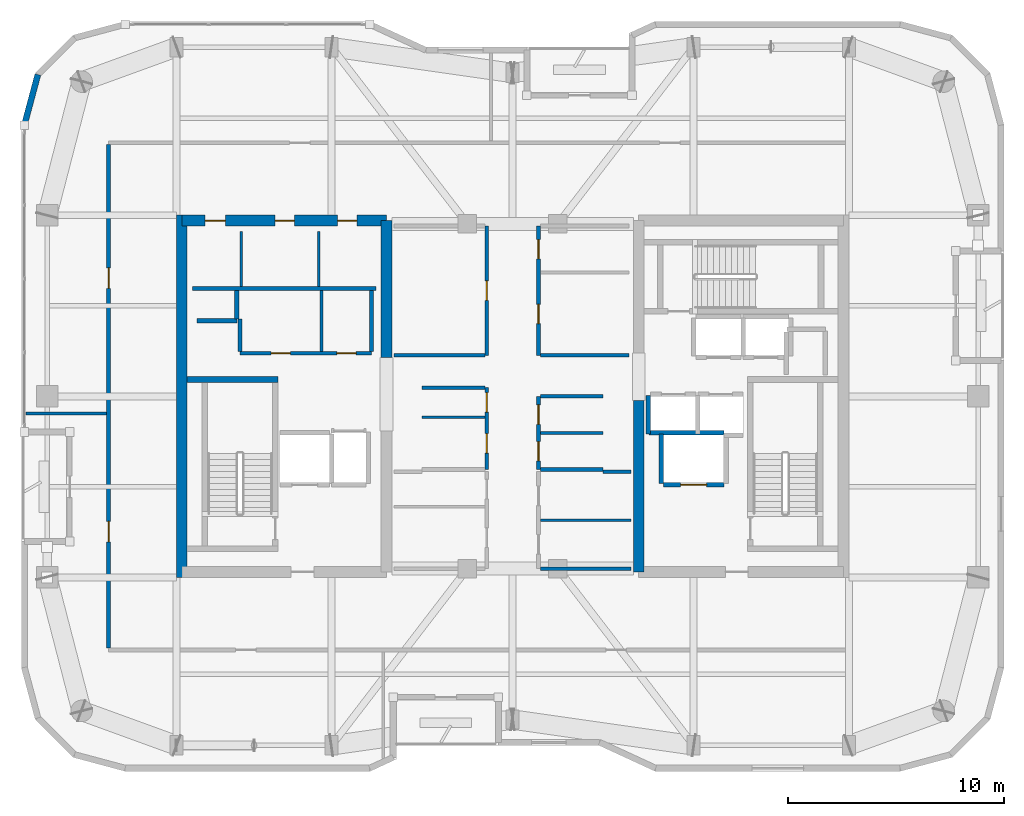
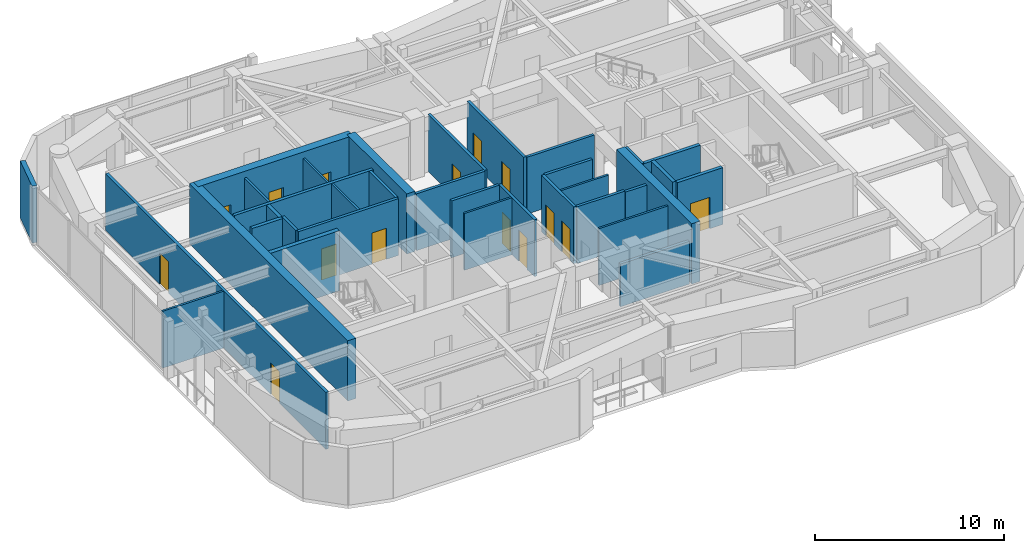
# One storey, part 11 of 15: 35 walls, 15 doors, 15 openings.
"""IFC4 building model written with IfcOpenShell, lengths in metres."""

from ifc_helpers import new_model, si_unit, direction, frame, frame_2d, origin, place, context, subcontext, project, spatial, rectangle, extrude, material, layer, layer_set, type_object, element, fill, save


model = new_model("IFC4")

# Units and contexts
model_context = context("Model", 3, precision=1e-05, world=origin(), true_north=direction((0.0, 1.0)))
body_context = subcontext(model_context, "Body", "Model", "MODEL_VIEW")
ifc_project = project(units=[si_unit("LENGTHUNIT", "METRE"), si_unit("AREAUNIT", "SQUARE_METRE"), si_unit("VOLUMEUNIT", "CUBIC_METRE"), si_unit("PLANEANGLEUNIT", "RADIAN"), si_unit("MASSUNIT", "GRAM", prefix="KILO")], contexts=[model_context])

# Site, building, storey
site_placement = place(None, origin())
site = spatial("IfcSite", under=ifc_project, at=site_placement, CompositionType="ELEMENT")
building_placement = place(site_placement, origin())
building = spatial("IfcBuilding", under=site, at=building_placement, Name="Kiyonajd Concourse Tower", CompositionType="ELEMENT")
storey_placement = place(building_placement, frame((0.0, 0.0, 286.199951171875)))
storey = spatial("IfcBuildingStorey", under=building, at=storey_placement, Name="L72", CompositionType="ELEMENT", Elevation=286.199951171875)

# Walls
ifc_material_1 = material(Name="Concrete C60/75", Category="concrete")
ifc_layer_1 = layer(ifc_material_1, 0.5)
ifc_layer_set_1 = layer_set([ifc_layer_1], Name="Concrete C60/75")
wall_type_1 = type_object("IfcWallType", Name="WL-CORE-500", PredefinedType="SHEAR", material=ifc_layer_set_1)
wall_1_placement = place(storey_placement, frame((32.64990234375, 27.60009765625, 0.0), z_axis=(0.0, 0.0, 1.0), x_axis=(0.0, 1.0, 0.0)))
element("IfcWall", 1, at=wall_1_placement, inside=storey, type_object=wall_type_1, Name="L72 West Core Outer Shear Wall", PredefinedType="SHEAR", context=body_context, shape_type="SweptSolid", body=[
    extrude(rectangle(XDim=16.7998046875, YDim=0.5, at=frame_2d((8.39990234375, 0.0))), origin(), (0.0, 0.0, 1.0), 3.900146484375),
])
wall_2_placement = place(storey_placement, frame((42.14990234375, 37.800048828125, 0.0), z_axis=(0.0, 0.0, 1.0), x_axis=(0.0, 1.0, 0.0)))
element("IfcWall", 2, at=wall_2_placement, inside=storey, type_object=wall_type_1, Name="L72 West Core Inner North Shear Wall", PredefinedType="SHEAR", context=body_context, shape_type="SweptSolid", body=[
    extrude(rectangle(XDim=6.349853515625, YDim=0.5, at=frame_2d((3.1748046875, 0.0))), origin(), (0.0, 0.0, 1.0), 3.900146484375),
])

# Wall, openings, doors
wall_3_placement = place(storey_placement, frame((32.64990234375, 44.14990234375, 0.0), z_axis=(0.0, 0.0, 1.0), x_axis=(1.0, 0.0, 0.0)))
wall_3 = element("IfcWall", 3, at=wall_3_placement, inside=storey, type_object=wall_type_1, Name="L72 West Core North Shear Wall", PredefinedType="SHEAR", context=body_context, shape_type="SweptSolid", body=[
    extrude(rectangle(XDim=9.5, YDim=0.5, at=frame_2d((4.75, 0.0))), origin(), (0.0, 0.0, 1.0), 3.900146484375),
])
opening_1_placement = place(wall_3_placement, frame((1.074951171875, 0.0, 0.0)))
opening_1 = element("IfcOpeningElement", 4, at=opening_1_placement, cuts=wall_3, Name="Opening DI1", PredefinedType="OPENING", context=body_context, shape_type="SweptSolid", body=[
    extrude(rectangle(XDim=0.949951171875, YDim=2.0400390625, at=frame_2d((0.47509765625, 1.02001953125))), frame((0.0, 0.260009765625, 0.0), z_axis=(0.0, -1.0, 0.0), x_axis=(1.0, 0.0, 0.0)), (0.0, 0.0, 1.0), 0.52001953125),
])
opening_2_placement = place(wall_3_placement, frame((4.324951171875, 0.0, 0.0)))
opening_2 = element("IfcOpeningElement", 5, at=opening_2_placement, cuts=wall_3, Name="Opening DI2", PredefinedType="OPENING", context=body_context, shape_type="SweptSolid", body=[
    extrude(rectangle(XDim=0.89990234375, YDim=2.02001953125, at=frame_2d((0.449951171875, 1.010009765625))), frame((0.0, 0.260009765625, 0.0), z_axis=(0.0, -1.0, 0.0), x_axis=(1.0, 0.0, 0.0)), (0.0, 0.0, 1.0), 0.52001953125),
])
opening_3_placement = place(wall_3_placement, frame((7.22509765625, 0.0, 0.0)))
opening_3 = element("IfcOpeningElement", 6, at=opening_3_placement, cuts=wall_3, Name="Opening DI2", PredefinedType="OPENING", context=body_context, shape_type="SweptSolid", body=[
    extrude(rectangle(XDim=0.89990234375, YDim=2.02001953125, at=frame_2d((0.449951171875, 1.010009765625))), frame((0.0, 0.260009765625, 0.0), z_axis=(0.0, -1.0, 0.0), x_axis=(1.0, 0.0, 0.0)), (0.0, 0.0, 1.0), 0.52001953125),
])
ifc_material_2 = material(Name="Natural Oak Acoustic Timber Veneer", Category="wood")
door_type_1 = type_object("IfcDoorType", Name="DR-INT-900", OperationType="NOTDEFINED", PredefinedType="DOOR", material=ifc_material_2)
door_1_placement = place(opening_2_placement, origin())
door_1 = element("IfcDoor", 7, at=door_1_placement, inside=storey, type_object=door_type_1, Name="L72 Male Restroom Door", OperationType="SINGLE_SWING_RIGHT", OverallHeight=2.02001953125, OverallWidth=0.89990234375, PredefinedType="DOOR", context=body_context, shape_type="SweptSolid", body=[
    extrude(rectangle(XDim=0.89990234375, YDim=2.02001953125, at=frame_2d((0.449951171875, 1.010009765625))), frame((0.0, 0.02490234375, 0.0), z_axis=(0.0, -1.0, 0.0), x_axis=(1.0, 0.0, 0.0)), (0.0, 0.0, 1.0), 0.050048828125),
])
fill(opening_2, door_1)
door_2_placement = place(opening_3_placement, origin())
door_2 = element("IfcDoor", 8, at=door_2_placement, inside=storey, type_object=door_type_1, Name="L72 Female Restroom Door", OperationType="SINGLE_SWING_LEFT", OverallHeight=2.02001953125, OverallWidth=0.89990234375, PredefinedType="DOOR", context=body_context, shape_type="SweptSolid", body=[
    extrude(rectangle(XDim=0.89990234375, YDim=2.02001953125, at=frame_2d((0.449951171875, 1.010009765625))), frame((0.0, 0.02490234375, 0.0), z_axis=(0.0, -1.0, 0.0), x_axis=(1.0, 0.0, 0.0)), (0.0, 0.0, 1.0), 0.050048828125),
])
fill(opening_3, door_2)
door_type_2 = type_object("IfcDoorType", Name="DR-INT-950", OperationType="NOTDEFINED", PredefinedType="DOOR", material=ifc_material_2)
door_3_placement = place(opening_1_placement, origin())
door_3 = element("IfcDoor", 9, at=door_3_placement, inside=storey, type_object=door_type_2, Name="L72 Single User Accessible WC Door", OperationType="SINGLE_SWING_LEFT", OverallHeight=2.0400390625, OverallWidth=0.949951171875, PredefinedType="DOOR", context=body_context, shape_type="SweptSolid", body=[
    extrude(rectangle(XDim=0.949951171875, YDim=2.0400390625, at=frame_2d((0.47509765625, 1.02001953125))), frame((0.0, 0.02490234375, 0.0), z_axis=(0.0, -1.0, 0.0), x_axis=(1.0, 0.0, 0.0)), (0.0, 0.0, 1.0), 0.050048828125),
])
fill(opening_1, door_3)

# Walls
wall_4_placement = place(storey_placement, frame((53.85009765625, 27.85009765625, 0.0), z_axis=(0.0, 0.0, 1.0), x_axis=(0.0, 1.0, 0.0)))
element("IfcWall", 10, at=wall_4_placement, inside=storey, type_object=wall_type_1, Name="L72 East Core Inner South Shear Wall", PredefinedType="SHEAR", context=body_context, shape_type="SweptSolid", body=[
    extrude(rectangle(XDim=7.949951171875, YDim=0.5, at=frame_2d((3.97509765625, 0.0))), origin(), (0.0, 0.0, 1.0), 3.900146484375),
])
ifc_material_3 = material(Name="Precast concrete C50/60", Category="concrete")
ifc_layer_2 = layer(ifc_material_3, 0.280029296875)
ifc_layer_set_2 = layer_set([ifc_layer_2], Name="Precast concrete C50/60")
wall_type_2 = type_object("IfcWallType", Name="WL-EXT-280", PredefinedType="SOLIDWALL", material=ifc_layer_set_2)
wall_5_placement = place(storey_placement, frame((25.340087890625, 48.58154296875, 0.0), z_axis=(0.0, 0.0, 1.0), x_axis=(0.258751159445, 0.965944013639, 0.0)))
element("IfcWall", 11, at=wall_5_placement, inside=storey, type_object=wall_type_2, Name="L72 Exterior Concrete Frame Wall 06", PredefinedType="SOLIDWALL", context=body_context, shape_type="SweptSolid", body=[
    extrude(rectangle(XDim=2.4287109375, YDim=0.280029296875, at=frame_2d((1.21435546875, 0.0))), origin(), (0.0, 0.0, 1.0), 3.679931640625),
])
ifc_material_4 = material(Name="Gypsum Board on Cold-Formed Steel Stud", Category="steel")
ifc_layer_3 = layer(ifc_material_4, 0.125)
ifc_layer_set_3 = layer_set([ifc_layer_3], Name="Gypsum Board on Cold-Formed Steel Stud")
wall_type_3 = type_object("IfcWallType", Name="WL-PART-125", PredefinedType="PARTITIONING", material=ifc_layer_set_3)
for number, where, z_axis, x_axis, name in (
    (12, (35.39990234375, 41.094970703125, 0.0), (0.0, 0.0, 1.0), (0.0, 1.0, 0.0), "L72 Interior Partition Wall"),
    (13, (39.0, 41.094970703125, 0.0), (0.0, 0.0, 1.0), (0.0, 1.0, 0.0), "L72 Interior Partition Wall"),
):
    element("IfcWall", number, at=place(storey_placement, frame(where, z_axis=z_axis, x_axis=x_axis)), inside=storey, type_object=wall_type_3, Name=name, PredefinedType="PARTITIONING", context=body_context, shape_type="SweptSolid", body=[
        extrude(rectangle(XDim=2.554931640625, YDim=0.125, at=frame_2d((1.27734375, 0.0))), origin(), (0.0, 0.0, 1.0), 3.679931640625),
    ])
wall_6_placement = place(storey_placement, frame((39.132080078125, 38.0869140625, 0.0), z_axis=(0.0, 0.0, 1.0), x_axis=(0.0, 1.0, 0.0)))
element("IfcWall", 14, at=wall_6_placement, inside=storey, type_object=wall_type_3, Name="L72 Interior Partition Wall", PredefinedType="PARTITIONING", context=body_context, shape_type="SweptSolid", body=[
    extrude(rectangle(XDim=2.81298828125, YDim=0.125, at=frame_2d((1.406494140625, 0.0))), origin(), (0.0, 0.0, 1.0), 3.679931640625),
])
for number, where, z_axis, x_axis, name in (
    (15, (43.800048828125, 35.031982421875, 0.0), (0.0, 0.0, 1.0), (1.0, 0.0, 0.0), "L72 Interior Partition Wall"),
    (16, (49.287109375, 34.300048828125, 0.0), (0.0, 0.0, 1.0), (1.0, 0.0, 0.0), "L72 Interior Partition Wall"),
):
    element("IfcWall", number, at=place(storey_placement, frame(where, z_axis=z_axis, x_axis=x_axis)), inside=storey, type_object=wall_type_3, Name=name, PredefinedType="PARTITIONING", context=body_context, shape_type="SweptSolid", body=[
        extrude(rectangle(XDim=2.912841796875, YDim=0.125, at=frame_2d((1.45654296875, 0.0))), origin(), (0.0, 0.0, 1.0), 3.679931640625),
    ])
wall_7_placement = place(storey_placement, frame((49.287109375, 30.25, 0.0), z_axis=(0.0, 0.0, 1.0), x_axis=(1.0, 0.0, 0.0)))
element("IfcWall", 17, at=wall_7_placement, inside=storey, type_object=wall_type_3, Name="L72 Interior Partition Wall", PredefinedType="PARTITIONING", context=body_context, shape_type="SweptSolid", body=[
    extrude(rectangle(XDim=4.212890625, YDim=0.125, at=frame_2d((2.1064453125, 0.0))), origin(), (0.0, 0.0, 1.0), 3.679931640625),
])
wall_8_placement = place(storey_placement, frame((25.425048828125, 35.199951171875, 0.0), z_axis=(0.0, 0.0, 1.0), x_axis=(1.0, 0.0, 0.0)))
element("IfcWall", 18, at=wall_8_placement, inside=storey, type_object=wall_type_3, Name="L72 Interior Partition Wall", PredefinedType="PARTITIONING", context=body_context, shape_type="SweptSolid", body=[
    extrude(rectangle(XDim=3.738037109375, YDim=0.125, at=frame_2d((1.869140625, 0.0))), origin(), (0.0, 0.0, 1.0), 3.679931640625),
])
ifc_layer_4 = layer(ifc_material_4, 0.18994140625)
ifc_layer_set_4 = layer_set([ifc_layer_4], Name="Gypsum Board on Cold-Formed Steel Stud")
wall_type_4 = type_object("IfcWallType", Name="WL-PLMB-190", PredefinedType="PLUMBINGWALL", material=ifc_layer_set_4)
wall_9_placement = place(storey_placement, frame((33.14990234375, 41.0, 0.0), z_axis=(0.0, 0.0, 1.0), x_axis=(1.0, 0.0, 0.0)))
element("IfcWall", 19, at=wall_9_placement, inside=storey, type_object=wall_type_4, Name="L72 Interior Partition Wall", PredefinedType="PLUMBINGWALL", context=body_context, shape_type="SweptSolid", body=[
    extrude(rectangle(XDim=8.5, YDim=0.18994140625, at=frame_2d((4.25, 0.0))), origin(), (0.0, 0.0, 1.0), 3.679931640625),
])
ifc_layer_5 = layer(ifc_material_4, 0.2099609375)
ifc_layer_set_5 = layer_set([ifc_layer_5], Name="Gypsum Board on Cold-Formed Steel Stud")
wall_type_5 = type_object("IfcWallType", Name="WL-SHAFT-210", PredefinedType="PARTITIONING", material=ifc_layer_set_5)
wall_10_placement = place(storey_placement, frame((33.360107421875, 39.5, 0.0), z_axis=(0.0, 0.0, 1.0), x_axis=(1.0, 0.0, 0.0)))
element("IfcWall", 20, at=wall_10_placement, inside=storey, type_object=wall_type_5, Name="L72 Shaft Enclosure Wall", PredefinedType="PARTITIONING", context=body_context, shape_type="SweptSolid", body=[
    extrude(rectangle(XDim=1.85986328125, YDim=0.2099609375, at=frame_2d((0.929931640625, 0.0))), origin(), (0.0, 0.0, 1.0), 3.679931640625),
])
wall_11_placement = place(storey_placement, frame((35.199951171875, 39.580078125, 0.0), z_axis=(0.0, 0.0, 1.0), x_axis=(0.0, 1.0, 0.0)))
element("IfcWall", 21, at=wall_11_placement, inside=storey, type_object=wall_type_5, Name="L72 Shaft Enclosure Wall", PredefinedType="PARTITIONING", context=body_context, shape_type="SweptSolid", body=[
    extrude(rectangle(XDim=1.31982421875, YDim=0.2099609375, at=frame_2d((0.659912109375, 0.0))), origin(), (0.0, 0.0, 1.0), 3.679931640625),
])

# Wall, opening, door
wall_12_placement = place(storey_placement, frame((55.0, 31.89990234375, 0.0), z_axis=(0.0, 0.0, 1.0), x_axis=(1.0, 0.0, 0.0)))
wall_12 = element("IfcWall", 22, at=wall_12_placement, inside=storey, type_object=wall_type_5, Name="L72 Shaft Enclosure Wall", PredefinedType="PARTITIONING", context=body_context, shape_type="SweptSolid", body=[
    extrude(rectangle(XDim=2.800048828125, YDim=0.2099609375, at=frame_2d((1.39990234375, 0.0))), origin(), (0.0, 0.0, 1.0), 3.679931640625),
])
opening_4_placement = place(wall_12_placement, frame((0.800048828125, 0.0, 0.0)))
opening_4 = element("IfcOpeningElement", 23, at=opening_4_placement, cuts=wall_12, Name="Opening LD2", PredefinedType="OPENING", context=body_context, shape_type="SweptSolid", body=[
    extrude(rectangle(XDim=1.199951171875, YDim=2.0400390625, at=frame_2d((0.60009765625, 1.02001953125))), frame((0.0, 0.114990234375, 0.0), z_axis=(0.0, -1.0, 0.0), x_axis=(1.0, 0.0, 0.0)), (0.0, 0.0, 1.0), 0.22998046875),
])
ifc_material_5 = material(Name="Brushed Stainless Steel Cab Assembly", Category="steel")
door_type_3 = type_object("IfcDoorType", Name="DR-LD-1200", OperationType="DOUBLE_DOOR_SLIDING", PredefinedType="DOOR", material=ifc_material_5)
door_4_placement = place(opening_4_placement, origin())
door_4 = element("IfcDoor", 24, at=door_4_placement, inside=storey, type_object=door_type_3, Name="L72 Lift FFL2 Sliding Landing Door", OperationType="DOUBLE_DOOR_SLIDING", OverallHeight=2.0400390625, OverallWidth=1.199951171875, PredefinedType="DOOR", context=body_context, shape_type="SweptSolid", body=[
    extrude(rectangle(XDim=1.199951171875, YDim=2.0400390625, at=frame_2d((0.60009765625, 1.02001953125))), frame((0.0, 0.02490234375, 0.0), z_axis=(0.0, -1.0, 0.0), x_axis=(1.0, 0.0, 0.0)), (0.0, 0.0, 1.0), 0.050048828125),
])
fill(opening_4, door_4)

# Walls
wall_13_placement = place(storey_placement, frame((54.320068359375, 34.300048828125, 0.0), z_axis=(0.0, 0.0, 1.0), x_axis=(1.0, 0.0, 0.0)))
element("IfcWall", 25, at=wall_13_placement, inside=storey, type_object=wall_type_5, Name="L72 Shaft Enclosure Wall", PredefinedType="PARTITIONING", context=body_context, shape_type="SweptSolid", body=[
    extrude(rectangle(XDim=3.47998046875, YDim=0.2099609375, at=frame_2d((1.739990234375, 0.0))), origin(), (0.0, 0.0, 1.0), 3.679931640625),
])
wall_14_placement = place(storey_placement, frame((54.89990234375, 31.9599609375, 0.0), z_axis=(0.0, 0.0, 1.0), x_axis=(0.0, 1.0, 0.0)))
element("IfcWall", 26, at=wall_14_placement, inside=storey, type_object=wall_type_5, Name="L72 Shaft Enclosure Wall", PredefinedType="PARTITIONING", context=body_context, shape_type="SweptSolid", body=[
    extrude(rectangle(XDim=2.280029296875, YDim=0.2099609375, at=frame_2d((1.14013671875, 0.0))), origin(), (0.0, 0.0, 1.0), 3.679931640625),
])
wall_15_placement = place(storey_placement, frame((54.300048828125, 34.260009765625, 0.0), z_axis=(0.0, 0.0, 1.0), x_axis=(0.0, 1.0, 0.0)))
element("IfcWall", 27, at=wall_15_placement, inside=storey, type_object=wall_type_5, Name="L72 Shaft Enclosure Wall", PredefinedType="PARTITIONING", context=body_context, shape_type="SweptSolid", body=[
    extrude(rectangle(XDim=1.780029296875, YDim=0.2099609375, at=frame_2d((0.89013671875, 0.0))), origin(), (0.0, 0.0, 1.0), 3.679931640625),
])

# Wall, openings, doors
ifc_layer_6 = layer(ifc_material_4, 0.169921875)
ifc_layer_set_6 = layer_set([ifc_layer_6], Name="Gypsum Board on Cold-Formed Steel Stud")
wall_type_6 = type_object("IfcWallType", Name="WL-SMK-170", PredefinedType="PARTITIONING", material=ifc_layer_set_6)
wall_16_placement = place(storey_placement, frame((35.35009765625, 38.0, 0.0), z_axis=(0.0, 0.0, 1.0), x_axis=(1.0, 0.0, 0.0)))
wall_16 = element("IfcWall", 28, at=wall_16_placement, inside=storey, type_object=wall_type_6, Name="L72 Interior Partition Wall", PredefinedType="PARTITIONING", context=body_context, shape_type="SweptSolid", body=[
    extrude(rectangle(XDim=6.099853515625, YDim=0.169921875, at=frame_2d((3.0498046875, 0.0))), origin(), (0.0, 0.0, 1.0), 3.679931640625),
])
opening_5_placement = place(wall_16_placement, frame((1.44091796875, 0.0, 0.0)))
opening_5 = element("IfcOpeningElement", 29, at=opening_5_placement, cuts=wall_16, Name="Opening DF4", PredefinedType="OPENING", context=body_context, shape_type="SweptSolid", body=[
    extrude(rectangle(XDim=0.89990234375, YDim=2.02001953125, at=frame_2d((0.449951171875, 1.010009765625))), frame((0.0, 0.094970703125, 0.0), z_axis=(0.0, -1.0, 0.0), x_axis=(1.0, 0.0, 0.0)), (0.0, 0.0, 1.0), 0.18994140625),
])
opening_6_placement = place(wall_16_placement, frame((4.490966796875, 0.0, 0.0)))
opening_6 = element("IfcOpeningElement", 30, at=opening_6_placement, cuts=wall_16, Name="Opening DF4", PredefinedType="OPENING", context=body_context, shape_type="SweptSolid", body=[
    extrude(rectangle(XDim=0.89990234375, YDim=2.02001953125, at=frame_2d((0.449951171875, 1.010009765625))), frame((0.0, 0.094970703125, 0.0), z_axis=(0.0, -1.0, 0.0), x_axis=(1.0, 0.0, 0.0)), (0.0, 0.0, 1.0), 0.18994140625),
])
door_type_4 = type_object("IfcDoorType", Name="DR-FD60-900", OperationType="NOTDEFINED", PredefinedType="DOOR", material=ifc_material_5)
door_5_placement = place(opening_5_placement, origin())
door_5 = element("IfcDoor", 31, at=door_5_placement, inside=storey, type_object=door_type_4, Name="L72 Interior Door", OperationType="SINGLE_SWING_LEFT", OverallHeight=2.02001953125, OverallWidth=0.89990234375, PredefinedType="DOOR", context=body_context, shape_type="SweptSolid", body=[
    extrude(rectangle(XDim=0.89990234375, YDim=2.02001953125, at=frame_2d((0.449951171875, 1.010009765625))), frame((0.0, 0.02490234375, 0.0), z_axis=(0.0, -1.0, 0.0), x_axis=(1.0, 0.0, 0.0)), (0.0, 0.0, 1.0), 0.050048828125),
])
fill(opening_5, door_5)
door_6_placement = place(opening_6_placement, origin())
door_6 = element("IfcDoor", 32, at=door_6_placement, inside=storey, type_object=door_type_4, Name="L72 Interior Door", OperationType="SINGLE_SWING_RIGHT", OverallHeight=2.02001953125, OverallWidth=0.89990234375, PredefinedType="DOOR", context=body_context, shape_type="SweptSolid", body=[
    extrude(rectangle(XDim=0.89990234375, YDim=2.02001953125, at=frame_2d((0.449951171875, 1.010009765625))), frame((0.0, 0.02490234375, 0.0), z_axis=(0.0, -1.0, 0.0), x_axis=(1.0, 0.0, 0.0)), (0.0, 0.0, 1.0), 0.050048828125),
])
fill(opening_6, door_6)

# Walls
wall_17_placement = place(storey_placement, frame((35.35009765625, 38.0869140625, 0.0), z_axis=(0.0, 0.0, 1.0), x_axis=(0.0, 1.0, 0.0)))
element("IfcWall", 33, at=wall_17_placement, inside=storey, type_object=wall_type_6, Name="L72 Interior Partition Wall", PredefinedType="PARTITIONING", context=body_context, shape_type="SweptSolid", body=[
    extrude(rectangle(XDim=1.4931640625, YDim=0.169921875, at=frame_2d((0.74658203125, 0.0))), origin(), (0.0, 0.0, 1.0), 3.679931640625),
])
wall_18_placement = place(storey_placement, frame((41.449951171875, 38.0869140625, 0.0), z_axis=(0.0, 0.0, 1.0), x_axis=(0.0, 1.0, 0.0)))
element("IfcWall", 34, at=wall_18_placement, inside=storey, type_object=wall_type_6, Name="L72 Interior Partition Wall", PredefinedType="PARTITIONING", context=body_context, shape_type="SweptSolid", body=[
    extrude(rectangle(XDim=2.81298828125, YDim=0.169921875, at=frame_2d((1.406494140625, 0.0))), origin(), (0.0, 0.0, 1.0), 3.679931640625),
])

# Wall, openings, doors
wall_19_placement = place(storey_placement, frame((46.800048828125, 32.60009765625, 0.0), z_axis=(0.0, 0.0, 1.0), x_axis=(0.0, 1.0, 0.0)))
wall_19 = element("IfcWall", 35, at=wall_19_placement, inside=storey, type_object=wall_type_6, Name="L72 Interior Partition Wall", PredefinedType="PARTITIONING", context=body_context, shape_type="SweptSolid", body=[
    extrude(rectangle(XDim=3.7998046875, YDim=0.169921875, at=frame_2d((1.89990234375, 0.0))), origin(), (0.0, 0.0, 1.0), 3.679931640625),
])
opening_7_placement = place(wall_19_placement, frame((0.76611328125, 0.0, 0.0)))
opening_7 = element("IfcOpeningElement", 36, at=opening_7_placement, cuts=wall_19, Name="Opening DF4", PredefinedType="OPENING", context=body_context, shape_type="SweptSolid", body=[
    extrude(rectangle(XDim=0.89990234375, YDim=2.02001953125, at=frame_2d((0.449951171875, 1.010009765625))), frame((0.0, 0.094970703125, 0.0), z_axis=(0.0, -1.0, 0.0), x_axis=(1.0, 0.0, 0.0)), (0.0, 0.0, 1.0), 0.18994140625),
])
opening_8_placement = place(wall_19_placement, frame((2.666015625, 0.0, 0.0)))
opening_8 = element("IfcOpeningElement", 37, at=opening_8_placement, cuts=wall_19, Name="Opening DF4", PredefinedType="OPENING", context=body_context, shape_type="SweptSolid", body=[
    extrude(rectangle(XDim=0.89990234375, YDim=2.02001953125, at=frame_2d((0.449951171875, 1.010009765625))), frame((0.0, 0.094970703125, 0.0), z_axis=(0.0, -1.0, 0.0), x_axis=(1.0, 0.0, 0.0)), (0.0, 0.0, 1.0), 0.18994140625),
])
door_7_placement = place(opening_7_placement, origin())
door_7 = element("IfcDoor", 38, at=door_7_placement, inside=storey, type_object=door_type_4, Name="L72 Interior Door", OperationType="SINGLE_SWING_LEFT", OverallHeight=2.02001953125, OverallWidth=0.89990234375, PredefinedType="DOOR", context=body_context, shape_type="SweptSolid", body=[
    extrude(rectangle(XDim=0.89990234375, YDim=2.02001953125, at=frame_2d((0.449951171875, 1.010009765625))), frame((0.0, 0.02490234375, 0.0), z_axis=(0.0, -1.0, 0.0), x_axis=(1.0, 0.0, 0.0)), (0.0, 0.0, 1.0), 0.050048828125),
])
fill(opening_7, door_7)
door_8_placement = place(opening_8_placement, origin())
door_8 = element("IfcDoor", 39, at=door_8_placement, inside=storey, type_object=door_type_4, Name="L72 Interior Door", OperationType="SINGLE_SWING_RIGHT", OverallHeight=2.02001953125, OverallWidth=0.89990234375, PredefinedType="DOOR", context=body_context, shape_type="SweptSolid", body=[
    extrude(rectangle(XDim=0.89990234375, YDim=2.02001953125, at=frame_2d((0.449951171875, 1.010009765625))), frame((0.0, 0.02490234375, 0.0), z_axis=(0.0, -1.0, 0.0), x_axis=(1.0, 0.0, 0.0)), (0.0, 0.0, 1.0), 0.050048828125),
])
fill(opening_8, door_8)

# Wall
wall_20_placement = place(storey_placement, frame((43.800048828125, 36.39990234375, 0.0), z_axis=(0.0, 0.0, 1.0), x_axis=(1.0, 0.0, 0.0)))
element("IfcWall", 40, at=wall_20_placement, inside=storey, type_object=wall_type_6, Name="L72 Interior Partition Wall", PredefinedType="PARTITIONING", context=body_context, shape_type="SweptSolid", body=[
    extrude(rectangle(XDim=2.912841796875, YDim=0.169921875, at=frame_2d((1.45654296875, 0.0))), origin(), (0.0, 0.0, 1.0), 3.679931640625),
])

# Wall, openings, doors
wall_21_placement = place(storey_placement, frame((49.199951171875, 32.60009765625, 0.0), z_axis=(0.0, 0.0, 1.0), x_axis=(0.0, 1.0, 0.0)))
wall_21 = element("IfcWall", 41, at=wall_21_placement, inside=storey, type_object=wall_type_6, Name="L72 Interior Partition Wall", PredefinedType="PARTITIONING", context=body_context, shape_type="SweptSolid", body=[
    extrude(rectangle(XDim=3.39990234375, YDim=0.169921875, at=frame_2d((1.699951171875, 0.0))), origin(), (0.0, 0.0, 1.0), 3.679931640625),
])
opening_9_placement = place(wall_21_placement, frame((0.39990234375, 0.0, 0.0)))
opening_9 = element("IfcOpeningElement", 42, at=opening_9_placement, cuts=wall_21, Name="Opening DI2", PredefinedType="OPENING", context=body_context, shape_type="SweptSolid", body=[
    extrude(rectangle(XDim=0.89990234375, YDim=2.02001953125, at=frame_2d((0.449951171875, 1.010009765625))), frame((0.0, 0.094970703125, 0.0), z_axis=(0.0, -1.0, 0.0), x_axis=(1.0, 0.0, 0.0)), (0.0, 0.0, 1.0), 0.18994140625),
])
opening_10_placement = place(wall_21_placement, frame((2.10009765625, 0.0, 0.0)))
opening_10 = element("IfcOpeningElement", 43, at=opening_10_placement, cuts=wall_21, Name="Opening DI2", PredefinedType="OPENING", context=body_context, shape_type="SweptSolid", body=[
    extrude(rectangle(XDim=0.89990234375, YDim=2.02001953125, at=frame_2d((0.449951171875, 1.010009765625))), frame((0.0, 0.094970703125, 0.0), z_axis=(0.0, -1.0, 0.0), x_axis=(1.0, 0.0, 0.0)), (0.0, 0.0, 1.0), 0.18994140625),
])
door_9_placement = place(opening_9_placement, origin())
door_9 = element("IfcDoor", 44, at=door_9_placement, inside=storey, type_object=door_type_1, Name="L72 Interior Door", OperationType="SINGLE_SWING_LEFT", OverallHeight=2.02001953125, OverallWidth=0.89990234375, PredefinedType="DOOR", context=body_context, shape_type="SweptSolid", body=[
    extrude(rectangle(XDim=0.89990234375, YDim=2.02001953125, at=frame_2d((0.449951171875, 1.010009765625))), frame((0.0, 0.02490234375, 0.0), z_axis=(0.0, -1.0, 0.0), x_axis=(1.0, 0.0, 0.0)), (0.0, 0.0, 1.0), 0.050048828125),
])
fill(opening_9, door_9)
door_10_placement = place(opening_10_placement, origin())
door_10 = element("IfcDoor", 45, at=door_10_placement, inside=storey, type_object=door_type_1, Name="L72 Interior Door", OperationType="SINGLE_SWING_RIGHT", OverallHeight=2.02001953125, OverallWidth=0.89990234375, PredefinedType="DOOR", context=body_context, shape_type="SweptSolid", body=[
    extrude(rectangle(XDim=0.89990234375, YDim=2.02001953125, at=frame_2d((0.449951171875, 1.010009765625))), frame((0.0, 0.02490234375, 0.0), z_axis=(0.0, -1.0, 0.0), x_axis=(1.0, 0.0, 0.0)), (0.0, 0.0, 1.0), 0.050048828125),
])
fill(opening_10, door_10)

# Walls
for number, where, z_axis, x_axis, name in (
    (46, (49.287109375, 32.60009765625, 0.0), (0.0, 0.0, 1.0), (1.0, 0.0, 0.0), "L72 Interior Partition Wall"),
    (47, (49.287109375, 36.0, 0.0), (0.0, 0.0, 1.0), (1.0, 0.0, 0.0), "L72 Interior Partition Wall"),
):
    element("IfcWall", number, at=place(storey_placement, frame(where, z_axis=z_axis, x_axis=x_axis)), inside=storey, type_object=wall_type_6, Name=name, PredefinedType="PARTITIONING", context=body_context, shape_type="SweptSolid", body=[
        extrude(rectangle(XDim=2.912841796875, YDim=0.169921875, at=frame_2d((1.45654296875, 0.0))), origin(), (0.0, 0.0, 1.0), 3.679931640625),
    ])
wall_22_placement = place(storey_placement, frame((49.287109375, 28.0, 0.0), z_axis=(0.0, 0.0, 1.0), x_axis=(1.0, 0.0, 0.0)))
element("IfcWall", 48, at=wall_22_placement, inside=storey, type_object=wall_type_6, Name="L72 Interior Partition Wall", PredefinedType="PARTITIONING", context=body_context, shape_type="SweptSolid", body=[
    extrude(rectangle(XDim=4.212890625, YDim=0.169921875, at=frame_2d((2.1064453125, 0.0))), origin(), (0.0, 0.0, 1.0), 2.76513671875),
])
wall_23_placement = place(storey_placement, frame((52.199951171875, 32.5, 0.0), z_axis=(0.0, 0.0, 1.0), x_axis=(1.0, 0.0, 0.0)))
element("IfcWall", 49, at=wall_23_placement, inside=storey, type_object=wall_type_6, Name="L72 Interior Partition Wall", PredefinedType="PARTITIONING", context=body_context, shape_type="SweptSolid", body=[
    extrude(rectangle(XDim=1.300048828125, YDim=0.169921875, at=frame_2d((0.64990234375, 0.0))), origin(), (0.0, 0.0, 1.0), 3.679931640625),
])

# Wall, opening, door
wall_24_placement = place(storey_placement, frame((46.800048828125, 37.89990234375, 0.0), z_axis=(0.0, 0.0, 1.0), x_axis=(0.0, 1.0, 0.0)))
wall_24 = element("IfcWall", 50, at=wall_24_placement, inside=storey, type_object=wall_type_6, Name="L72 Interior Partition Wall", PredefinedType="PARTITIONING", context=body_context, shape_type="SweptSolid", body=[
    extrude(rectangle(XDim=6.0, YDim=0.169921875, at=frame_2d((3.0, 0.0))), origin(), (0.0, 0.0, 1.0), 3.679931640625),
])
opening_11_placement = place(wall_24_placement, frame((2.550048828125, 0.0, 0.0)))
opening_11 = element("IfcOpeningElement", 51, at=opening_11_placement, cuts=wall_24, Name="Opening DI2", PredefinedType="OPENING", context=body_context, shape_type="SweptSolid", body=[
    extrude(rectangle(XDim=0.89990234375, YDim=2.02001953125, at=frame_2d((0.449951171875, 1.010009765625))), frame((0.0, 0.094970703125, 0.0), z_axis=(0.0, -1.0, 0.0), x_axis=(1.0, 0.0, 0.0)), (0.0, 0.0, 1.0), 0.18994140625),
])
door_11_placement = place(opening_11_placement, origin())
door_11 = element("IfcDoor", 52, at=door_11_placement, inside=storey, type_object=door_type_1, Name="L72 Interior Door", OperationType="SINGLE_SWING_LEFT", OverallHeight=2.02001953125, OverallWidth=0.89990234375, PredefinedType="DOOR", context=body_context, shape_type="SweptSolid", body=[
    extrude(rectangle(XDim=0.89990234375, YDim=2.02001953125, at=frame_2d((0.449951171875, 1.010009765625))), frame((0.0, 0.02490234375, 0.0), z_axis=(0.0, -1.0, 0.0), x_axis=(1.0, 0.0, 0.0)), (0.0, 0.0, 1.0), 0.050048828125),
])
fill(opening_11, door_11)

# Wall
wall_25_placement = place(storey_placement, frame((42.5, 37.89990234375, 0.0), z_axis=(0.0, 0.0, 1.0), x_axis=(1.0, 0.0, 0.0)))
element("IfcWall", 53, at=wall_25_placement, inside=storey, type_object=wall_type_6, Name="L72 Interior Partition Wall", PredefinedType="PARTITIONING", context=body_context, shape_type="SweptSolid", body=[
    extrude(rectangle(XDim=4.212890625, YDim=0.169921875, at=frame_2d((2.1064453125, 0.0))), origin(), (0.0, 0.0, 1.0), 3.679931640625),
])

# Wall, openings, doors
wall_26_placement = place(storey_placement, frame((49.199951171875, 37.89990234375, 0.0), z_axis=(0.0, 0.0, 1.0), x_axis=(0.0, 1.0, 0.0)))
wall_26 = element("IfcWall", 54, at=wall_26_placement, inside=storey, type_object=wall_type_6, Name="L72 Interior Partition Wall", PredefinedType="PARTITIONING", context=body_context, shape_type="SweptSolid", body=[
    extrude(rectangle(XDim=6.0, YDim=0.169921875, at=frame_2d((3.0, 0.0))), origin(), (0.0, 0.0, 1.0), 3.679931640625),
])
opening_12_placement = place(wall_26_placement, frame((1.469970703125, 0.0, 0.0)))
opening_12 = element("IfcOpeningElement", 55, at=opening_12_placement, cuts=wall_26, Name="Opening DF4", PredefinedType="OPENING", context=body_context, shape_type="SweptSolid", body=[
    extrude(rectangle(XDim=0.89990234375, YDim=2.02001953125, at=frame_2d((0.449951171875, 1.010009765625))), frame((0.0, 0.094970703125, 0.0), z_axis=(0.0, -1.0, 0.0), x_axis=(1.0, 0.0, 0.0)), (0.0, 0.0, 1.0), 0.18994140625),
])
opening_13_placement = place(wall_26_placement, frame((4.469970703125, 0.0, 0.0)))
opening_13 = element("IfcOpeningElement", 56, at=opening_13_placement, cuts=wall_26, Name="Opening DF4", PredefinedType="OPENING", context=body_context, shape_type="SweptSolid", body=[
    extrude(rectangle(XDim=0.89990234375, YDim=2.02001953125, at=frame_2d((0.449951171875, 1.010009765625))), frame((0.0, 0.094970703125, 0.0), z_axis=(0.0, -1.0, 0.0), x_axis=(1.0, 0.0, 0.0)), (0.0, 0.0, 1.0), 0.18994140625),
])
door_12_placement = place(opening_12_placement, origin())
door_12 = element("IfcDoor", 57, at=door_12_placement, inside=storey, type_object=door_type_4, Name="L72 Interior Door", OperationType="SINGLE_SWING_RIGHT", OverallHeight=2.02001953125, OverallWidth=0.89990234375, PredefinedType="DOOR", context=body_context, shape_type="SweptSolid", body=[
    extrude(rectangle(XDim=0.89990234375, YDim=2.02001953125, at=frame_2d((0.449951171875, 1.010009765625))), frame((0.0, 0.02490234375, 0.0), z_axis=(0.0, -1.0, 0.0), x_axis=(1.0, 0.0, 0.0)), (0.0, 0.0, 1.0), 0.050048828125),
])
fill(opening_12, door_12)
door_13_placement = place(opening_13_placement, origin())
door_13 = element("IfcDoor", 58, at=door_13_placement, inside=storey, type_object=door_type_4, Name="L72 Interior Door", OperationType="SINGLE_SWING_LEFT", OverallHeight=2.02001953125, OverallWidth=0.89990234375, PredefinedType="DOOR", context=body_context, shape_type="SweptSolid", body=[
    extrude(rectangle(XDim=0.89990234375, YDim=2.02001953125, at=frame_2d((0.449951171875, 1.010009765625))), frame((0.0, 0.02490234375, 0.0), z_axis=(0.0, -1.0, 0.0), x_axis=(1.0, 0.0, 0.0)), (0.0, 0.0, 1.0), 0.050048828125),
])
fill(opening_13, door_13)

# Wall
wall_27_placement = place(storey_placement, frame((49.287109375, 37.89990234375, 0.0), z_axis=(0.0, 0.0, 1.0), x_axis=(1.0, 0.0, 0.0)))
element("IfcWall", 59, at=wall_27_placement, inside=storey, type_object=wall_type_6, Name="L72 Interior Partition Wall", PredefinedType="PARTITIONING", context=body_context, shape_type="SweptSolid", body=[
    extrude(rectangle(XDim=4.11279296875, YDim=0.169921875, at=frame_2d((2.056396484375, 0.0))), origin(), (0.0, 0.0, 1.0), 3.679931640625),
])

# Wall, openings, doors
wall_28_placement = place(storey_placement, frame((29.25, 24.31689453125, 0.0), z_axis=(0.0, 0.0, 1.0), x_axis=(0.0, 1.0, 0.0)))
wall_28 = element("IfcWall", 60, at=wall_28_placement, inside=storey, type_object=wall_type_6, Name="L72 Interior Partition Wall", PredefinedType="PARTITIONING", context=body_context, shape_type="SweptSolid", body=[
    extrude(rectangle(XDim=23.3662109375, YDim=0.169921875, at=frame_2d((11.68310546875, 0.0))), origin(), (0.0, 0.0, 1.0), 3.679931640625),
])
opening_14_placement = place(wall_28_placement, frame((4.923095703125, 0.0, 0.0)))
opening_14 = element("IfcOpeningElement", 61, at=opening_14_placement, cuts=wall_28, Name="Opening DI1", PredefinedType="OPENING", context=body_context, shape_type="SweptSolid", body=[
    extrude(rectangle(XDim=0.949951171875, YDim=2.0400390625, at=frame_2d((0.47509765625, 1.02001953125))), frame((0.0, 0.094970703125, 0.0), z_axis=(0.0, -1.0, 0.0), x_axis=(1.0, 0.0, 0.0)), (0.0, 0.0, 1.0), 0.18994140625),
])
opening_15_placement = place(wall_28_placement, frame((16.693115234375, 0.0, 0.0)))
opening_15 = element("IfcOpeningElement", 62, at=opening_15_placement, cuts=wall_28, Name="Opening DI1", PredefinedType="OPENING", context=body_context, shape_type="SweptSolid", body=[
    extrude(rectangle(XDim=0.949951171875, YDim=2.0400390625, at=frame_2d((0.47509765625, 1.02001953125))), frame((0.0, 0.094970703125, 0.0), z_axis=(0.0, -1.0, 0.0), x_axis=(1.0, 0.0, 0.0)), (0.0, 0.0, 1.0), 0.18994140625),
])
door_14_placement = place(opening_14_placement, origin())
door_14 = element("IfcDoor", 63, at=door_14_placement, inside=storey, type_object=door_type_2, Name="L72 Interior Door", OperationType="SINGLE_SWING_RIGHT", OverallHeight=2.0400390625, OverallWidth=0.949951171875, PredefinedType="DOOR", context=body_context, shape_type="SweptSolid", body=[
    extrude(rectangle(XDim=0.949951171875, YDim=2.0400390625, at=frame_2d((0.47509765625, 1.02001953125))), frame((0.0, 0.02490234375, 0.0), z_axis=(0.0, -1.0, 0.0), x_axis=(1.0, 0.0, 0.0)), (0.0, 0.0, 1.0), 0.050048828125),
])
fill(opening_14, door_14)
door_15_placement = place(opening_15_placement, origin())
door_15 = element("IfcDoor", 64, at=door_15_placement, inside=storey, type_object=door_type_2, Name="L72 Interior Door", OperationType="SINGLE_SWING_LEFT", OverallHeight=2.0400390625, OverallWidth=0.949951171875, PredefinedType="DOOR", context=body_context, shape_type="SweptSolid", body=[
    extrude(rectangle(XDim=0.949951171875, YDim=2.0400390625, at=frame_2d((0.47509765625, 1.02001953125))), frame((0.0, 0.02490234375, 0.0), z_axis=(0.0, -1.0, 0.0), x_axis=(1.0, 0.0, 0.0)), (0.0, 0.0, 1.0), 0.050048828125),
])
fill(opening_15, door_15)

# Wall
ifc_material_6 = material(Name="Concrete C50/60", Category="concrete")
ifc_layer_7 = layer(ifc_material_6, 0.260009765625)
ifc_layer_set_7 = layer_set([ifc_layer_7], Name="Concrete C50/60")
wall_type_7 = type_object("IfcWallType", Name="WL-STAIR-260", PredefinedType="SHEAR", material=ifc_layer_set_7)
wall_29_placement = place(storey_placement, frame((32.89990234375, 36.780029296875, 0.0), z_axis=(0.0, 0.0, 1.0), x_axis=(1.0, 0.0, 0.0)))
element("IfcWall", 65, at=wall_29_placement, inside=storey, type_object=wall_type_7, Name="L72 Stair ST1 Structural North Wall", PredefinedType="SHEAR", context=body_context, shape_type="SweptSolid", body=[
    extrude(rectangle(XDim=4.210205078125, YDim=0.260009765625, at=frame_2d((2.10498046875, 0.0))), origin(), (0.0, 0.0, 1.0), 3.900146484375),
])

save(model, "model.ifc")
